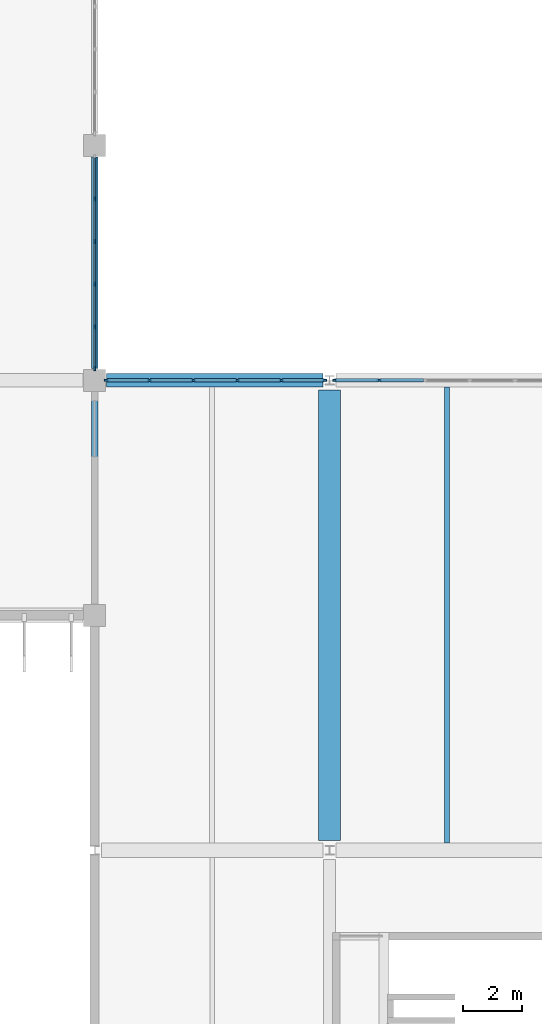
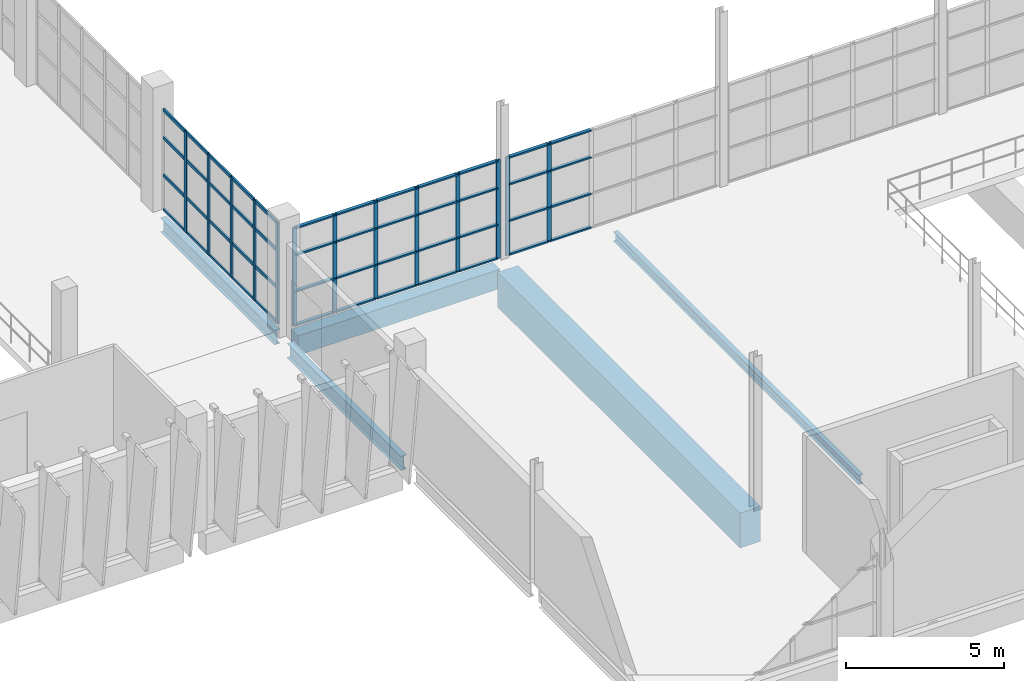
# One storey, part 19 of 93: 61 members, 5 beams, 3 elements without a shape of their own.
"""IFC4 building model written with IfcOpenShell, lengths in metres."""

from ifc_helpers import new_model, si_unit, direction, frame, origin, origin_2d, place, context, subcontext, project, spatial, rectangle, i_section, extrude, material, layer, layer_set, material_profile, profile_set, type_object, element, aggregate, save


model = new_model("IFC4")

# Units and contexts
model_context = context("Model", 3, precision=1e-05, world=origin(), true_north=direction((0.0, 1.0)))
body_context = subcontext(model_context, "Body", "Model", "MODEL_VIEW")
ifc_project = project(units=[si_unit("LENGTHUNIT", "METRE"), si_unit("AREAUNIT", "SQUARE_METRE"), si_unit("VOLUMEUNIT", "CUBIC_METRE"), si_unit("PLANEANGLEUNIT", "RADIAN"), si_unit("MASSUNIT", "GRAM", prefix="KILO")], contexts=[model_context])

# Site, building, storey
site_placement = place(None, origin())
site = spatial("IfcSite", under=ifc_project, at=site_placement, CompositionType="ELEMENT")
building_placement = place(site_placement, origin())
building = spatial("IfcBuilding", under=site, at=building_placement, Name="Drelvana Railside Aquatics Centre", CompositionType="ELEMENT")
storey_placement = place(building_placement, frame((0.0, 0.0, 5.39990234375)))
storey = spatial("IfcBuildingStorey", under=building, at=storey_placement, Name="L01", CompositionType="ELEMENT", Elevation=5.39990234375)

# Curtain wall, members
ifc_material_1 = material(Name="Bronze-anodised aluminium curtain wall", Category="aluminium")
ifc_layer = layer(ifc_material_1, 0.1650390625, Name="Bronze-anodised aluminium curtain wall")
ifc_layer_set = layer_set([ifc_layer], Name="Bronze-anodised aluminium curtain wall")
curtain_wall_type = type_object("IfcCurtainWallType", Name="CW-Z5-COURT", PredefinedType="NOTDEFINED", material=ifc_layer_set)
curtain_wall_1_placement = place(storey_placement, origin())
curtain_wall_1 = element("IfcCurtainWall", 1, at=curtain_wall_1_placement, inside=storey, type_object=curtain_wall_type, Name="Curtain wall CW-05-056", PredefinedType="NOTDEFINED")
ifc_material_2 = material(Name="Bronze-anodised aluminium 6063-T6", Category="aluminium")
ifc_material_profile_1 = material_profile(ifc_material_2, rectangle(XDim=0.06005859375, YDim=0.14990234375, at=origin_2d()), Name="ALU-M 60x150")
ifc_profile_set_1 = profile_set([ifc_material_profile_1], Name="Bronze-anodised aluminium 6063-T6")
member_type_1 = type_object("IfcMemberType", Name="CW-Z5-COURT-MUL", PredefinedType="MULLION", material=ifc_profile_set_1)
member_1_placement = place(storey_placement, frame((96.0, 24.39892578125, -0.005859375), z_axis=(0.0, 0.0, 1.0), x_axis=(-1.0, 0.0, 0.0)))
member_1 = element("IfcMember", 2, at=member_1_placement, type_object=member_type_1, Name="CW-05 mullion 1", PredefinedType="MULLION", context=body_context, shape_type="SweptSolid", body=[
    extrude(rectangle(XDim=0.06005859375, YDim=0.14990234375, at=origin_2d()), origin(), (0.0, 0.0, 1.0), 3.906005859375),
])
member_2_placement = place(storey_placement, frame((96.0, 25.8212890625, -0.005859375), z_axis=(0.0, 0.0, 1.0), x_axis=(-1.0, 0.0, 0.0)))
member_2 = element("IfcMember", 3, at=member_2_placement, type_object=member_type_1, Name="CW-05 mullion 2", PredefinedType="MULLION", context=body_context, shape_type="SweptSolid", body=[
    extrude(rectangle(XDim=0.06005859375, YDim=0.14990234375, at=origin_2d()), origin(), (0.0, 0.0, 1.0), 3.906005859375),
])
member_3_placement = place(storey_placement, frame((96.0, 27.273681640625, -0.005859375), z_axis=(0.0, 0.0, 1.0), x_axis=(-1.0, 0.0, 0.0)))
member_3 = element("IfcMember", 4, at=member_3_placement, type_object=member_type_1, Name="CW-05 mullion 3", PredefinedType="MULLION", context=body_context, shape_type="SweptSolid", body=[
    extrude(rectangle(XDim=0.06005859375, YDim=0.14990234375, at=origin_2d()), origin(), (0.0, 0.0, 1.0), 3.906005859375),
])
member_4_placement = place(storey_placement, frame((96.0, 28.726318359375, -0.005859375), z_axis=(0.0, 0.0, 1.0), x_axis=(-1.0, 0.0, 0.0)))
member_4 = element("IfcMember", 5, at=member_4_placement, type_object=member_type_1, Name="CW-05 mullion 4", PredefinedType="MULLION", context=body_context, shape_type="SweptSolid", body=[
    extrude(rectangle(XDim=0.06005859375, YDim=0.14990234375, at=origin_2d()), origin(), (0.0, 0.0, 1.0), 3.906005859375),
])
member_5_placement = place(storey_placement, frame((96.0, 30.1787109375, -0.005859375), z_axis=(0.0, 0.0, 1.0), x_axis=(-1.0, 0.0, 0.0)))
member_5 = element("IfcMember", 6, at=member_5_placement, type_object=member_type_1, Name="CW-05 mullion 5", PredefinedType="MULLION", context=body_context, shape_type="SweptSolid", body=[
    extrude(rectangle(XDim=0.06005859375, YDim=0.14990234375, at=origin_2d()), origin(), (0.0, 0.0, 1.0), 3.906005859375),
])

curtain_wall_2_placement = place(storey_placement, origin())
curtain_wall_2 = element("IfcCurtainWall", 7, at=curtain_wall_2_placement, inside=storey, type_object=curtain_wall_type, Name="Curtain wall CW-05-101", PredefinedType="NOTDEFINED")
member_6_placement = place(storey_placement, frame((96.39892578125, 24.0, -0.005859375), z_axis=(0.0, 0.0, 1.0), x_axis=(0.0, 1.0, 0.0)))
member_6 = element("IfcMember", 8, at=member_6_placement, type_object=member_type_1, Name="CW-05 mullion 1", PredefinedType="MULLION", context=body_context, shape_type="SweptSolid", body=[
    extrude(rectangle(XDim=0.06005859375, YDim=0.14990234375, at=origin_2d()), origin(), (0.0, 0.0, 1.0), 3.805908203125),
])
member_7_placement = place(storey_placement, frame((97.866455078125, 24.0, -0.005859375), z_axis=(0.0, 0.0, 1.0), x_axis=(0.0, 1.0, 0.0)))
member_7 = element("IfcMember", 9, at=member_7_placement, type_object=member_type_1, Name="CW-05 mullion 2", PredefinedType="MULLION", context=body_context, shape_type="SweptSolid", body=[
    extrude(rectangle(XDim=0.06005859375, YDim=0.14990234375, at=origin_2d()), origin(), (0.0, 0.0, 1.0), 3.805908203125),
])
member_8_placement = place(storey_placement, frame((99.36376953125, 24.0, -0.005859375), z_axis=(0.0, 0.0, 1.0), x_axis=(0.0, 1.0, 0.0)))
member_8 = element("IfcMember", 10, at=member_8_placement, type_object=member_type_1, Name="CW-05 mullion 3", PredefinedType="MULLION", context=body_context, shape_type="SweptSolid", body=[
    extrude(rectangle(XDim=0.06005859375, YDim=0.14990234375, at=origin_2d()), origin(), (0.0, 0.0, 1.0), 3.805908203125),
])
member_9_placement = place(storey_placement, frame((100.861083984375, 24.0, -0.005859375), z_axis=(0.0, 0.0, 1.0), x_axis=(0.0, 1.0, 0.0)))
member_9 = element("IfcMember", 11, at=member_9_placement, type_object=member_type_1, Name="CW-05 mullion 4", PredefinedType="MULLION", context=body_context, shape_type="SweptSolid", body=[
    extrude(rectangle(XDim=0.06005859375, YDim=0.14990234375, at=origin_2d()), origin(), (0.0, 0.0, 1.0), 3.805908203125),
])
member_10_placement = place(storey_placement, frame((102.358642578125, 24.0, -0.005859375), z_axis=(0.0, 0.0, 1.0), x_axis=(0.0, 1.0, 0.0)))
member_10 = element("IfcMember", 12, at=member_10_placement, type_object=member_type_1, Name="CW-05 mullion 5", PredefinedType="MULLION", context=body_context, shape_type="SweptSolid", body=[
    extrude(rectangle(XDim=0.06005859375, YDim=0.14990234375, at=origin_2d()), origin(), (0.0, 0.0, 1.0), 3.805908203125),
])
member_11_placement = place(storey_placement, frame((103.825927734375, 24.0, -0.005859375), z_axis=(0.0, 0.0, 1.0), x_axis=(0.0, 1.0, 0.0)))
member_11 = element("IfcMember", 13, at=member_11_placement, type_object=member_type_1, Name="CW-05 mullion 6", PredefinedType="MULLION", context=body_context, shape_type="SweptSolid", body=[
    extrude(rectangle(XDim=0.06005859375, YDim=0.14990234375, at=origin_2d()), origin(), (0.0, 0.0, 1.0), 3.805908203125),
])

curtain_wall_3_placement = place(storey_placement, origin())
curtain_wall_3 = element("IfcCurtainWall", 14, at=curtain_wall_3_placement, inside=storey, type_object=curtain_wall_type, Name="Curtain wall CW-05-103", PredefinedType="NOTDEFINED")
member_12_placement = place(storey_placement, frame((104.174072265625, 24.0, -0.005859375), z_axis=(0.0, 0.0, 1.0), x_axis=(0.0, 1.0, 0.0)))
member_12 = element("IfcMember", 15, at=member_12_placement, type_object=member_type_1, Name="CW-05 mullion 1", PredefinedType="MULLION", context=body_context, shape_type="SweptSolid", body=[
    extrude(rectangle(XDim=0.06005859375, YDim=0.14990234375, at=origin_2d()), origin(), (0.0, 0.0, 1.0), 3.805908203125),
])
member_13_placement = place(storey_placement, frame((105.686279296875, 24.0, -0.005859375), z_axis=(0.0, 0.0, 1.0), x_axis=(0.0, 1.0, 0.0)))
member_13 = element("IfcMember", 16, at=member_13_placement, type_object=member_type_1, Name="CW-05 mullion 2", PredefinedType="MULLION", context=body_context, shape_type="SweptSolid", body=[
    extrude(rectangle(XDim=0.06005859375, YDim=0.14990234375, at=origin_2d()), origin(), (0.0, 0.0, 1.0), 3.805908203125),
])

# Member
ifc_material_profile_2 = material_profile(ifc_material_2, rectangle(XDim=0.1201171875, YDim=0.06005859375, at=origin_2d()), Name="ALU-T 60x120")
ifc_profile_set_2 = profile_set([ifc_material_profile_2], Name="Bronze-anodised aluminium 6063-T6")
member_type_2 = type_object("IfcMemberType", Name="CW-Z5-COURT-TRN", PredefinedType="USERDEFINED", material=ifc_profile_set_2)
member_14_placement = place(storey_placement, frame((96.0, 24.424072265625, 0.024169921875), z_axis=(0.0, 1.0, 0.0), x_axis=(0.0, 0.0, 1.0)))
member_14 = element("IfcMember", 17, at=member_14_placement, type_object=member_type_2, Name="CW-05 transom 1.1", ObjectType="TRANSOM", PredefinedType="USERDEFINED", context=body_context, shape_type="SweptSolid", body=[
    extrude(rectangle(XDim=0.1201171875, YDim=0.06005859375, at=origin_2d()), origin(), (0.0, 0.0, 1.0), 1.372314453125),
])

member_15_placement = place(storey_placement, frame((96.0, 24.424072265625, 1.361083984375), z_axis=(0.0, 1.0, 0.0), x_axis=(0.0, 0.0, 1.0)))
member_15 = element("IfcMember", 18, at=member_15_placement, type_object=member_type_2, Name="CW-05 transom 1.2", ObjectType="TRANSOM", PredefinedType="USERDEFINED", context=body_context, shape_type="SweptSolid", body=[
    extrude(rectangle(XDim=0.1201171875, YDim=0.06005859375, at=origin_2d()), origin(), (0.0, 0.0, 1.0), 1.372314453125),
])

member_16_placement = place(storey_placement, frame((96.0, 24.424072265625, 2.80615234375), z_axis=(0.0, 1.0, 0.0), x_axis=(0.0, 0.0, 1.0)))
member_16 = element("IfcMember", 19, at=member_16_placement, type_object=member_type_2, Name="CW-05 transom 1.3", ObjectType="TRANSOM", PredefinedType="USERDEFINED", context=body_context, shape_type="SweptSolid", body=[
    extrude(rectangle(XDim=0.1201171875, YDim=0.06005859375, at=origin_2d()), origin(), (0.0, 0.0, 1.0), 1.372314453125),
])

member_17_placement = place(storey_placement, frame((96.0, 24.424072265625, 3.8701171875), z_axis=(0.0, 1.0, 0.0), x_axis=(0.0, 0.0, 1.0)))
member_17 = element("IfcMember", 20, at=member_17_placement, type_object=member_type_2, Name="CW-05 transom 1.4", ObjectType="TRANSOM", PredefinedType="USERDEFINED", context=body_context, shape_type="SweptSolid", body=[
    extrude(rectangle(XDim=0.1201171875, YDim=0.06005859375, at=origin_2d()), origin(), (0.0, 0.0, 1.0), 1.372314453125),
])

member_18_placement = place(storey_placement, frame((96.0, 25.846435546875, 0.024169921875), z_axis=(0.0, 1.0, 0.0), x_axis=(0.0, 0.0, 1.0)))
member_18 = element("IfcMember", 21, at=member_18_placement, type_object=member_type_2, Name="CW-05 transom 2.1", ObjectType="TRANSOM", PredefinedType="USERDEFINED", context=body_context, shape_type="SweptSolid", body=[
    extrude(rectangle(XDim=0.1201171875, YDim=0.06005859375, at=origin_2d()), origin(), (0.0, 0.0, 1.0), 1.40234375),
])

member_19_placement = place(storey_placement, frame((96.0, 25.846435546875, 1.361083984375), z_axis=(0.0, 1.0, 0.0), x_axis=(0.0, 0.0, 1.0)))
member_19 = element("IfcMember", 22, at=member_19_placement, type_object=member_type_2, Name="CW-05 transom 2.2", ObjectType="TRANSOM", PredefinedType="USERDEFINED", context=body_context, shape_type="SweptSolid", body=[
    extrude(rectangle(XDim=0.1201171875, YDim=0.06005859375, at=origin_2d()), origin(), (0.0, 0.0, 1.0), 1.40234375),
])

member_20_placement = place(storey_placement, frame((96.0, 25.846435546875, 2.80615234375), z_axis=(0.0, 1.0, 0.0), x_axis=(0.0, 0.0, 1.0)))
member_20 = element("IfcMember", 23, at=member_20_placement, type_object=member_type_2, Name="CW-05 transom 2.3", ObjectType="TRANSOM", PredefinedType="USERDEFINED", context=body_context, shape_type="SweptSolid", body=[
    extrude(rectangle(XDim=0.1201171875, YDim=0.06005859375, at=origin_2d()), origin(), (0.0, 0.0, 1.0), 1.40234375),
])

member_21_placement = place(storey_placement, frame((96.0, 25.846435546875, 3.8701171875), z_axis=(0.0, 1.0, 0.0), x_axis=(0.0, 0.0, 1.0)))
member_21 = element("IfcMember", 24, at=member_21_placement, type_object=member_type_2, Name="CW-05 transom 2.4", ObjectType="TRANSOM", PredefinedType="USERDEFINED", context=body_context, shape_type="SweptSolid", body=[
    extrude(rectangle(XDim=0.1201171875, YDim=0.06005859375, at=origin_2d()), origin(), (0.0, 0.0, 1.0), 1.40234375),
])

member_22_placement = place(storey_placement, frame((96.0, 27.298828125, 0.024169921875), z_axis=(0.0, 1.0, 0.0), x_axis=(0.0, 0.0, 1.0)))
member_22 = element("IfcMember", 25, at=member_22_placement, type_object=member_type_2, Name="CW-05 transom 3.1", ObjectType="TRANSOM", PredefinedType="USERDEFINED", context=body_context, shape_type="SweptSolid", body=[
    extrude(rectangle(XDim=0.1201171875, YDim=0.06005859375, at=origin_2d()), origin(), (0.0, 0.0, 1.0), 1.40234375),
])

member_23_placement = place(storey_placement, frame((96.0, 27.298828125, 1.361083984375), z_axis=(0.0, 1.0, 0.0), x_axis=(0.0, 0.0, 1.0)))
member_23 = element("IfcMember", 26, at=member_23_placement, type_object=member_type_2, Name="CW-05 transom 3.2", ObjectType="TRANSOM", PredefinedType="USERDEFINED", context=body_context, shape_type="SweptSolid", body=[
    extrude(rectangle(XDim=0.1201171875, YDim=0.06005859375, at=origin_2d()), origin(), (0.0, 0.0, 1.0), 1.40234375),
])

member_24_placement = place(storey_placement, frame((96.0, 27.298828125, 2.80615234375), z_axis=(0.0, 1.0, 0.0), x_axis=(0.0, 0.0, 1.0)))
member_24 = element("IfcMember", 27, at=member_24_placement, type_object=member_type_2, Name="CW-05 transom 3.3", ObjectType="TRANSOM", PredefinedType="USERDEFINED", context=body_context, shape_type="SweptSolid", body=[
    extrude(rectangle(XDim=0.1201171875, YDim=0.06005859375, at=origin_2d()), origin(), (0.0, 0.0, 1.0), 1.40234375),
])

member_25_placement = place(storey_placement, frame((96.0, 27.298828125, 3.8701171875), z_axis=(0.0, 1.0, 0.0), x_axis=(0.0, 0.0, 1.0)))
member_25 = element("IfcMember", 28, at=member_25_placement, type_object=member_type_2, Name="CW-05 transom 3.4", ObjectType="TRANSOM", PredefinedType="USERDEFINED", context=body_context, shape_type="SweptSolid", body=[
    extrude(rectangle(XDim=0.1201171875, YDim=0.06005859375, at=origin_2d()), origin(), (0.0, 0.0, 1.0), 1.40234375),
])

member_26_placement = place(storey_placement, frame((96.0, 28.751220703125, 0.024169921875), z_axis=(0.0, 1.0, 0.0), x_axis=(0.0, 0.0, 1.0)))
member_26 = element("IfcMember", 29, at=member_26_placement, type_object=member_type_2, Name="CW-05 transom 4.1", ObjectType="TRANSOM", PredefinedType="USERDEFINED", context=body_context, shape_type="SweptSolid", body=[
    extrude(rectangle(XDim=0.1201171875, YDim=0.06005859375, at=origin_2d()), origin(), (0.0, 0.0, 1.0), 1.40234375),
])

member_27_placement = place(storey_placement, frame((96.0, 28.751220703125, 1.361083984375), z_axis=(0.0, 1.0, 0.0), x_axis=(0.0, 0.0, 1.0)))
member_27 = element("IfcMember", 30, at=member_27_placement, type_object=member_type_2, Name="CW-05 transom 4.2", ObjectType="TRANSOM", PredefinedType="USERDEFINED", context=body_context, shape_type="SweptSolid", body=[
    extrude(rectangle(XDim=0.1201171875, YDim=0.06005859375, at=origin_2d()), origin(), (0.0, 0.0, 1.0), 1.40234375),
])

member_28_placement = place(storey_placement, frame((96.0, 28.751220703125, 2.80615234375), z_axis=(0.0, 1.0, 0.0), x_axis=(0.0, 0.0, 1.0)))
member_28 = element("IfcMember", 31, at=member_28_placement, type_object=member_type_2, Name="CW-05 transom 4.3", ObjectType="TRANSOM", PredefinedType="USERDEFINED", context=body_context, shape_type="SweptSolid", body=[
    extrude(rectangle(XDim=0.1201171875, YDim=0.06005859375, at=origin_2d()), origin(), (0.0, 0.0, 1.0), 1.40234375),
])

member_29_placement = place(storey_placement, frame((96.0, 28.751220703125, 3.8701171875), z_axis=(0.0, 1.0, 0.0), x_axis=(0.0, 0.0, 1.0)))
member_29 = element("IfcMember", 32, at=member_29_placement, type_object=member_type_2, Name="CW-05 transom 4.4", ObjectType="TRANSOM", PredefinedType="USERDEFINED", context=body_context, shape_type="SweptSolid", body=[
    extrude(rectangle(XDim=0.1201171875, YDim=0.06005859375, at=origin_2d()), origin(), (0.0, 0.0, 1.0), 1.40234375),
])

member_30_placement = place(storey_placement, frame((96.0, 30.20361328125, 0.024169921875), z_axis=(0.0, 1.0, 0.0), x_axis=(0.0, 0.0, 1.0)))
member_30 = element("IfcMember", 33, at=member_30_placement, type_object=member_type_2, Name="CW-05 transom 5.1", ObjectType="TRANSOM", PredefinedType="USERDEFINED", context=body_context, shape_type="SweptSolid", body=[
    extrude(rectangle(XDim=0.1201171875, YDim=0.06005859375, at=origin_2d()), origin(), (0.0, 0.0, 1.0), 1.372314453125),
])

member_31_placement = place(storey_placement, frame((96.0, 30.20361328125, 1.361083984375), z_axis=(0.0, 1.0, 0.0), x_axis=(0.0, 0.0, 1.0)))
member_31 = element("IfcMember", 34, at=member_31_placement, type_object=member_type_2, Name="CW-05 transom 5.2", ObjectType="TRANSOM", PredefinedType="USERDEFINED", context=body_context, shape_type="SweptSolid", body=[
    extrude(rectangle(XDim=0.1201171875, YDim=0.06005859375, at=origin_2d()), origin(), (0.0, 0.0, 1.0), 1.372314453125),
])

member_32_placement = place(storey_placement, frame((96.0, 30.20361328125, 2.80615234375), z_axis=(0.0, 1.0, 0.0), x_axis=(0.0, 0.0, 1.0)))
member_32 = element("IfcMember", 35, at=member_32_placement, type_object=member_type_2, Name="CW-05 transom 5.3", ObjectType="TRANSOM", PredefinedType="USERDEFINED", context=body_context, shape_type="SweptSolid", body=[
    extrude(rectangle(XDim=0.1201171875, YDim=0.06005859375, at=origin_2d()), origin(), (0.0, 0.0, 1.0), 1.372314453125),
])

member_33_placement = place(storey_placement, frame((96.0, 30.20361328125, 3.8701171875), z_axis=(0.0, 1.0, 0.0), x_axis=(0.0, 0.0, 1.0)))
member_33 = element("IfcMember", 36, at=member_33_placement, type_object=member_type_2, Name="CW-05 transom 5.4", ObjectType="TRANSOM", PredefinedType="USERDEFINED", context=body_context, shape_type="SweptSolid", body=[
    extrude(rectangle(XDim=0.1201171875, YDim=0.06005859375, at=origin_2d()), origin(), (0.0, 0.0, 1.0), 1.372314453125),
])

aggregate(curtain_wall_1, [member_1, member_2, member_3, member_4, member_5, member_14, member_15, member_16, member_17, member_18, member_19, member_20, member_21, member_22, member_23, member_24, member_25, member_26, member_27, member_28, member_29, member_30, member_31, member_32, member_33])

member_34_placement = place(storey_placement, frame((96.424072265625, 24.0, 0.024169921875), z_axis=(1.0, 0.0, 0.0), x_axis=(0.0, 1.0, 0.0)))
member_34 = element("IfcMember", 37, at=member_34_placement, type_object=member_type_2, Name="CW-05 transom 1.1", ObjectType="TRANSOM", PredefinedType="USERDEFINED", context=body_context, shape_type="SweptSolid", body=[
    extrude(rectangle(XDim=0.1201171875, YDim=0.06005859375, at=origin_2d()), origin(), (0.0, 0.0, 1.0), 1.417236328125),
])

member_35_placement = place(storey_placement, frame((96.424072265625, 24.0, 1.326171875), z_axis=(1.0, 0.0, 0.0), x_axis=(0.0, 1.0, 0.0)))
member_35 = element("IfcMember", 38, at=member_35_placement, type_object=member_type_2, Name="CW-05 transom 1.2", ObjectType="TRANSOM", PredefinedType="USERDEFINED", context=body_context, shape_type="SweptSolid", body=[
    extrude(rectangle(XDim=0.1201171875, YDim=0.06005859375, at=origin_2d()), origin(), (0.0, 0.0, 1.0), 1.417236328125),
])

member_36_placement = place(storey_placement, frame((96.424072265625, 24.0, 2.734130859375), z_axis=(1.0, 0.0, 0.0), x_axis=(0.0, 1.0, 0.0)))
member_36 = element("IfcMember", 39, at=member_36_placement, type_object=member_type_2, Name="CW-05 transom 1.3", ObjectType="TRANSOM", PredefinedType="USERDEFINED", context=body_context, shape_type="SweptSolid", body=[
    extrude(rectangle(XDim=0.1201171875, YDim=0.06005859375, at=origin_2d()), origin(), (0.0, 0.0, 1.0), 1.417236328125),
])

member_37_placement = place(storey_placement, frame((96.424072265625, 24.0, 3.77001953125), z_axis=(1.0, 0.0, 0.0), x_axis=(0.0, 1.0, 0.0)))
member_37 = element("IfcMember", 40, at=member_37_placement, type_object=member_type_2, Name="CW-05 transom 1.4", ObjectType="TRANSOM", PredefinedType="USERDEFINED", context=body_context, shape_type="SweptSolid", body=[
    extrude(rectangle(XDim=0.1201171875, YDim=0.06005859375, at=origin_2d()), origin(), (0.0, 0.0, 1.0), 1.417236328125),
])

member_38_placement = place(storey_placement, frame((97.891357421875, 24.0, 0.024169921875), z_axis=(1.0, 0.0, 0.0), x_axis=(0.0, 1.0, 0.0)))
member_38 = element("IfcMember", 41, at=member_38_placement, type_object=member_type_2, Name="CW-05 transom 2.1", ObjectType="TRANSOM", PredefinedType="USERDEFINED", context=body_context, shape_type="SweptSolid", body=[
    extrude(rectangle(XDim=0.1201171875, YDim=0.06005859375, at=origin_2d()), origin(), (0.0, 0.0, 1.0), 1.447509765625),
])

member_39_placement = place(storey_placement, frame((97.891357421875, 24.0, 1.326171875), z_axis=(1.0, 0.0, 0.0), x_axis=(0.0, 1.0, 0.0)))
member_39 = element("IfcMember", 42, at=member_39_placement, type_object=member_type_2, Name="CW-05 transom 2.2", ObjectType="TRANSOM", PredefinedType="USERDEFINED", context=body_context, shape_type="SweptSolid", body=[
    extrude(rectangle(XDim=0.1201171875, YDim=0.06005859375, at=origin_2d()), origin(), (0.0, 0.0, 1.0), 1.447509765625),
])

member_40_placement = place(storey_placement, frame((97.891357421875, 24.0, 2.734130859375), z_axis=(1.0, 0.0, 0.0), x_axis=(0.0, 1.0, 0.0)))
member_40 = element("IfcMember", 43, at=member_40_placement, type_object=member_type_2, Name="CW-05 transom 2.3", ObjectType="TRANSOM", PredefinedType="USERDEFINED", context=body_context, shape_type="SweptSolid", body=[
    extrude(rectangle(XDim=0.1201171875, YDim=0.06005859375, at=origin_2d()), origin(), (0.0, 0.0, 1.0), 1.447509765625),
])

member_41_placement = place(storey_placement, frame((97.891357421875, 24.0, 3.77001953125), z_axis=(1.0, 0.0, 0.0), x_axis=(0.0, 1.0, 0.0)))
member_41 = element("IfcMember", 44, at=member_41_placement, type_object=member_type_2, Name="CW-05 transom 2.4", ObjectType="TRANSOM", PredefinedType="USERDEFINED", context=body_context, shape_type="SweptSolid", body=[
    extrude(rectangle(XDim=0.1201171875, YDim=0.06005859375, at=origin_2d()), origin(), (0.0, 0.0, 1.0), 1.447509765625),
])

member_42_placement = place(storey_placement, frame((99.388916015625, 24.0, 0.024169921875), z_axis=(1.0, 0.0, 0.0), x_axis=(0.0, 1.0, 0.0)))
member_42 = element("IfcMember", 45, at=member_42_placement, type_object=member_type_2, Name="CW-05 transom 3.1", ObjectType="TRANSOM", PredefinedType="USERDEFINED", context=body_context, shape_type="SweptSolid", body=[
    extrude(rectangle(XDim=0.1201171875, YDim=0.06005859375, at=origin_2d()), origin(), (0.0, 0.0, 1.0), 1.447265625),
])

member_43_placement = place(storey_placement, frame((99.388916015625, 24.0, 1.326171875), z_axis=(1.0, 0.0, 0.0), x_axis=(0.0, 1.0, 0.0)))
member_43 = element("IfcMember", 46, at=member_43_placement, type_object=member_type_2, Name="CW-05 transom 3.2", ObjectType="TRANSOM", PredefinedType="USERDEFINED", context=body_context, shape_type="SweptSolid", body=[
    extrude(rectangle(XDim=0.1201171875, YDim=0.06005859375, at=origin_2d()), origin(), (0.0, 0.0, 1.0), 1.447265625),
])

member_44_placement = place(storey_placement, frame((99.388916015625, 24.0, 2.734130859375), z_axis=(1.0, 0.0, 0.0), x_axis=(0.0, 1.0, 0.0)))
member_44 = element("IfcMember", 47, at=member_44_placement, type_object=member_type_2, Name="CW-05 transom 3.3", ObjectType="TRANSOM", PredefinedType="USERDEFINED", context=body_context, shape_type="SweptSolid", body=[
    extrude(rectangle(XDim=0.1201171875, YDim=0.06005859375, at=origin_2d()), origin(), (0.0, 0.0, 1.0), 1.447265625),
])

member_45_placement = place(storey_placement, frame((99.388916015625, 24.0, 3.77001953125), z_axis=(1.0, 0.0, 0.0), x_axis=(0.0, 1.0, 0.0)))
member_45 = element("IfcMember", 48, at=member_45_placement, type_object=member_type_2, Name="CW-05 transom 3.4", ObjectType="TRANSOM", PredefinedType="USERDEFINED", context=body_context, shape_type="SweptSolid", body=[
    extrude(rectangle(XDim=0.1201171875, YDim=0.06005859375, at=origin_2d()), origin(), (0.0, 0.0, 1.0), 1.447265625),
])

member_46_placement = place(storey_placement, frame((100.88623046875, 24.0, 0.024169921875), z_axis=(1.0, 0.0, 0.0), x_axis=(0.0, 1.0, 0.0)))
member_46 = element("IfcMember", 49, at=member_46_placement, type_object=member_type_2, Name="CW-05 transom 4.1", ObjectType="TRANSOM", PredefinedType="USERDEFINED", context=body_context, shape_type="SweptSolid", body=[
    extrude(rectangle(XDim=0.1201171875, YDim=0.06005859375, at=origin_2d()), origin(), (0.0, 0.0, 1.0), 1.447265625),
])

member_47_placement = place(storey_placement, frame((100.88623046875, 24.0, 1.326171875), z_axis=(1.0, 0.0, 0.0), x_axis=(0.0, 1.0, 0.0)))
member_47 = element("IfcMember", 50, at=member_47_placement, type_object=member_type_2, Name="CW-05 transom 4.2", ObjectType="TRANSOM", PredefinedType="USERDEFINED", context=body_context, shape_type="SweptSolid", body=[
    extrude(rectangle(XDim=0.1201171875, YDim=0.06005859375, at=origin_2d()), origin(), (0.0, 0.0, 1.0), 1.447265625),
])

member_48_placement = place(storey_placement, frame((100.88623046875, 24.0, 2.734130859375), z_axis=(1.0, 0.0, 0.0), x_axis=(0.0, 1.0, 0.0)))
member_48 = element("IfcMember", 51, at=member_48_placement, type_object=member_type_2, Name="CW-05 transom 4.3", ObjectType="TRANSOM", PredefinedType="USERDEFINED", context=body_context, shape_type="SweptSolid", body=[
    extrude(rectangle(XDim=0.1201171875, YDim=0.06005859375, at=origin_2d()), origin(), (0.0, 0.0, 1.0), 1.447265625),
])

member_49_placement = place(storey_placement, frame((100.88623046875, 24.0, 3.77001953125), z_axis=(1.0, 0.0, 0.0), x_axis=(0.0, 1.0, 0.0)))
member_49 = element("IfcMember", 52, at=member_49_placement, type_object=member_type_2, Name="CW-05 transom 4.4", ObjectType="TRANSOM", PredefinedType="USERDEFINED", context=body_context, shape_type="SweptSolid", body=[
    extrude(rectangle(XDim=0.1201171875, YDim=0.06005859375, at=origin_2d()), origin(), (0.0, 0.0, 1.0), 1.447265625),
])

member_50_placement = place(storey_placement, frame((102.383544921875, 24.0, 0.024169921875), z_axis=(1.0, 0.0, 0.0), x_axis=(0.0, 1.0, 0.0)))
member_50 = element("IfcMember", 53, at=member_50_placement, type_object=member_type_2, Name="CW-05 transom 5.1", ObjectType="TRANSOM", PredefinedType="USERDEFINED", context=body_context, shape_type="SweptSolid", body=[
    extrude(rectangle(XDim=0.1201171875, YDim=0.06005859375, at=origin_2d()), origin(), (0.0, 0.0, 1.0), 1.41748046875),
])

member_51_placement = place(storey_placement, frame((102.383544921875, 24.0, 1.326171875), z_axis=(1.0, 0.0, 0.0), x_axis=(0.0, 1.0, 0.0)))
member_51 = element("IfcMember", 54, at=member_51_placement, type_object=member_type_2, Name="CW-05 transom 5.2", ObjectType="TRANSOM", PredefinedType="USERDEFINED", context=body_context, shape_type="SweptSolid", body=[
    extrude(rectangle(XDim=0.1201171875, YDim=0.06005859375, at=origin_2d()), origin(), (0.0, 0.0, 1.0), 1.41748046875),
])

member_52_placement = place(storey_placement, frame((102.383544921875, 24.0, 2.734130859375), z_axis=(1.0, 0.0, 0.0), x_axis=(0.0, 1.0, 0.0)))
member_52 = element("IfcMember", 55, at=member_52_placement, type_object=member_type_2, Name="CW-05 transom 5.3", ObjectType="TRANSOM", PredefinedType="USERDEFINED", context=body_context, shape_type="SweptSolid", body=[
    extrude(rectangle(XDim=0.1201171875, YDim=0.06005859375, at=origin_2d()), origin(), (0.0, 0.0, 1.0), 1.41748046875),
])

member_53_placement = place(storey_placement, frame((102.383544921875, 24.0, 3.77001953125), z_axis=(1.0, 0.0, 0.0), x_axis=(0.0, 1.0, 0.0)))
member_53 = element("IfcMember", 56, at=member_53_placement, type_object=member_type_2, Name="CW-05 transom 5.4", ObjectType="TRANSOM", PredefinedType="USERDEFINED", context=body_context, shape_type="SweptSolid", body=[
    extrude(rectangle(XDim=0.1201171875, YDim=0.06005859375, at=origin_2d()), origin(), (0.0, 0.0, 1.0), 1.41748046875),
])

aggregate(curtain_wall_2, [member_6, member_7, member_8, member_9, member_10, member_11, member_34, member_35, member_36, member_37, member_38, member_39, member_40, member_41, member_42, member_43, member_44, member_45, member_46, member_47, member_48, member_49, member_50, member_51, member_52, member_53])

member_54_placement = place(storey_placement, frame((104.198974609375, 24.0, 0.024169921875), z_axis=(1.0, 0.0, 0.0), x_axis=(0.0, 1.0, 0.0)))
member_54 = element("IfcMember", 57, at=member_54_placement, type_object=member_type_2, Name="CW-05 transom 1.1", ObjectType="TRANSOM", PredefinedType="USERDEFINED", context=body_context, shape_type="SweptSolid", body=[
    extrude(rectangle(XDim=0.1201171875, YDim=0.06005859375, at=origin_2d()), origin(), (0.0, 0.0, 1.0), 1.46240234375),
])

member_55_placement = place(storey_placement, frame((104.198974609375, 24.0, 1.326171875), z_axis=(1.0, 0.0, 0.0), x_axis=(0.0, 1.0, 0.0)))
member_55 = element("IfcMember", 58, at=member_55_placement, type_object=member_type_2, Name="CW-05 transom 1.2", ObjectType="TRANSOM", PredefinedType="USERDEFINED", context=body_context, shape_type="SweptSolid", body=[
    extrude(rectangle(XDim=0.1201171875, YDim=0.06005859375, at=origin_2d()), origin(), (0.0, 0.0, 1.0), 1.46240234375),
])

member_56_placement = place(storey_placement, frame((104.198974609375, 24.0, 2.734130859375), z_axis=(1.0, 0.0, 0.0), x_axis=(0.0, 1.0, 0.0)))
member_56 = element("IfcMember", 59, at=member_56_placement, type_object=member_type_2, Name="CW-05 transom 1.3", ObjectType="TRANSOM", PredefinedType="USERDEFINED", context=body_context, shape_type="SweptSolid", body=[
    extrude(rectangle(XDim=0.1201171875, YDim=0.06005859375, at=origin_2d()), origin(), (0.0, 0.0, 1.0), 1.46240234375),
])

member_57_placement = place(storey_placement, frame((104.198974609375, 24.0, 3.77001953125), z_axis=(1.0, 0.0, 0.0), x_axis=(0.0, 1.0, 0.0)))
member_57 = element("IfcMember", 60, at=member_57_placement, type_object=member_type_2, Name="CW-05 transom 1.4", ObjectType="TRANSOM", PredefinedType="USERDEFINED", context=body_context, shape_type="SweptSolid", body=[
    extrude(rectangle(XDim=0.1201171875, YDim=0.06005859375, at=origin_2d()), origin(), (0.0, 0.0, 1.0), 1.46240234375),
])

member_58_placement = place(storey_placement, frame((105.71142578125, 24.0, 0.024169921875), z_axis=(1.0, 0.0, 0.0), x_axis=(0.0, 1.0, 0.0)))
member_58 = element("IfcMember", 61, at=member_58_placement, type_object=member_type_2, Name="CW-05 transom 2.1", ObjectType="TRANSOM", PredefinedType="USERDEFINED", context=body_context, shape_type="SweptSolid", body=[
    extrude(rectangle(XDim=0.1201171875, YDim=0.06005859375, at=origin_2d()), origin(), (0.0, 0.0, 1.0), 1.492431640625),
])

member_59_placement = place(storey_placement, frame((105.71142578125, 24.0, 1.326171875), z_axis=(1.0, 0.0, 0.0), x_axis=(0.0, 1.0, 0.0)))
member_59 = element("IfcMember", 62, at=member_59_placement, type_object=member_type_2, Name="CW-05 transom 2.2", ObjectType="TRANSOM", PredefinedType="USERDEFINED", context=body_context, shape_type="SweptSolid", body=[
    extrude(rectangle(XDim=0.1201171875, YDim=0.06005859375, at=origin_2d()), origin(), (0.0, 0.0, 1.0), 1.492431640625),
])

member_60_placement = place(storey_placement, frame((105.71142578125, 24.0, 2.734130859375), z_axis=(1.0, 0.0, 0.0), x_axis=(0.0, 1.0, 0.0)))
member_60 = element("IfcMember", 63, at=member_60_placement, type_object=member_type_2, Name="CW-05 transom 2.3", ObjectType="TRANSOM", PredefinedType="USERDEFINED", context=body_context, shape_type="SweptSolid", body=[
    extrude(rectangle(XDim=0.1201171875, YDim=0.06005859375, at=origin_2d()), origin(), (0.0, 0.0, 1.0), 1.492431640625),
])

member_61_placement = place(storey_placement, frame((105.71142578125, 24.0, 3.77001953125), z_axis=(1.0, 0.0, 0.0), x_axis=(0.0, 1.0, 0.0)))
member_61 = element("IfcMember", 64, at=member_61_placement, type_object=member_type_2, Name="CW-05 transom 2.4", ObjectType="TRANSOM", PredefinedType="USERDEFINED", context=body_context, shape_type="SweptSolid", body=[
    extrude(rectangle(XDim=0.1201171875, YDim=0.06005859375, at=origin_2d()), origin(), (0.0, 0.0, 1.0), 1.492431640625),
])

aggregate(curtain_wall_3, [member_12, member_13, member_54, member_55, member_56, member_57, member_58, member_59, member_60, member_61])

# Beams
ifc_material_3 = material(Name="Concrete C40/50", Category="concrete")
ifc_material_profile_3 = material_profile(ifc_material_3, rectangle(XDim=0.449951171875, YDim=0.75, at=origin_2d()), Name="RC 450x750")
ifc_profile_set_3 = profile_set([ifc_material_profile_3], Name="Concrete C40/50")
beam_type_1 = type_object("IfcBeamType", Name="STR-BM-BM-04-RC-450x750", PredefinedType="BEAM", material=ifc_profile_set_3)
beam_1_placement = place(storey_placement, frame((96.39990234375, 24.0, -0.64990234375), z_axis=(1.0, 0.0, 0.0), x_axis=(0.0, 1.0, 0.0)))
element("IfcBeam", 65, at=beam_1_placement, inside=storey, type_object=beam_type_1, Name="Girder BM-04 (L01)", PredefinedType="BEAM", context=body_context, shape_type="SweptSolid", body=[
    extrude(rectangle(XDim=0.449951171875, YDim=0.75, at=origin_2d()), origin(), (0.0, 0.0, 1.0), 7.375),
])
ifc_material_profile_4 = material_profile(ifc_material_3, rectangle(XDim=0.75, YDim=1.35009765625, at=origin_2d()), Name="RC 750x1350")
ifc_profile_set_4 = profile_set([ifc_material_profile_4], Name="Concrete C40/50")
beam_type_2 = type_object("IfcBeamType", Name="STR-BM-TG-02-RC-750x1350", PredefinedType="BEAM", material=ifc_profile_set_4)
beam_2_placement = place(storey_placement, frame((104.0, 8.324951171875, -0.949951171875), z_axis=(0.0, 1.0, 0.0), x_axis=(-1.0, 0.0, 0.0)))
element("IfcBeam", 66, at=beam_2_placement, inside=storey, type_object=beam_type_2, Name="Girder TG-02 (L01)", PredefinedType="BEAM", context=body_context, shape_type="SweptSolid", body=[
    extrude(rectangle(XDim=0.75, YDim=1.35009765625, at=origin_2d()), origin(), (0.0, 0.0, 1.0), 15.35009765625),
])
ifc_material_4 = material(Name="Structural steel S355", Category="steel")
ifc_material_profile_5 = material_profile(ifc_material_4, i_section(OverallWidth=0.2099609375, OverallDepth=0.550048828125, WebThickness=0.010986328125, FlangeThickness=0.01708984375, at=origin_2d()), Name="IPE 550")
ifc_profile_set_5 = profile_set([ifc_material_profile_5], Name="Structural steel S355")
beam_type_3 = type_object("IfcBeamType", Name="STR-SBM-SB-04-IPE-550", PredefinedType="SPANDREL", material=ifc_profile_set_5)
for number, where, z_axis, x_axis, name in (
    (67, (96.0, 16.39990234375, -0.5498046875), (0.0, 1.0, 0.0), (-1.0, 0.0, 0.0), "Girder SB-04 (L01)"),
    (68, (96.0, 24.39990234375, -0.5498046875), (0.0, 1.0, 0.0), (-1.0, 0.0, 0.0), "Girder SB-04 (L01)"),
):
    element("IfcBeam", number, at=place(storey_placement, frame(where, z_axis=z_axis, x_axis=x_axis)), inside=storey, type_object=beam_type_3, Name=name, PredefinedType="SPANDREL", context=body_context, shape_type="SweptSolid", body=[
        extrude(i_section(OverallWidth=0.2099609375, OverallDepth=0.550048828125, WebThickness=0.010986328125, FlangeThickness=0.01708984375, at=origin_2d()), origin(), (0.0, 0.0, 1.0), 7.2001953125),
    ])
ifc_material_profile_6 = material_profile(ifc_material_4, i_section(OverallWidth=0.169921875, OverallDepth=0.360107421875, WebThickness=0.008056640625, FlangeThickness=0.0126953125, at=origin_2d()), Name="IPE 360")
ifc_profile_set_6 = profile_set([ifc_material_profile_6], Name="Structural steel S355")
beam_type_4 = type_object("IfcBeamType", Name="STR-SBM-SJ-05-IPE-360", PredefinedType="JOIST", material=ifc_profile_set_6)
beam_3_placement = place(storey_placement, frame((108.0, 8.25, -0.454833984375), z_axis=(0.0, 1.0, 0.0), x_axis=(-1.0, 0.0, 0.0)))
element("IfcBeam", 69, at=beam_3_placement, inside=storey, type_object=beam_type_4, Name="Secondary floor joist SJ-05 (L01)", PredefinedType="JOIST", context=body_context, shape_type="SweptSolid", body=[
    extrude(i_section(OverallWidth=0.169921875, OverallDepth=0.360107421875, WebThickness=0.008056640625, FlangeThickness=0.0126953125, at=origin_2d()), origin(), (0.0, 0.0, 1.0), 15.52490234375),
])

save(model, "model.ifc")
